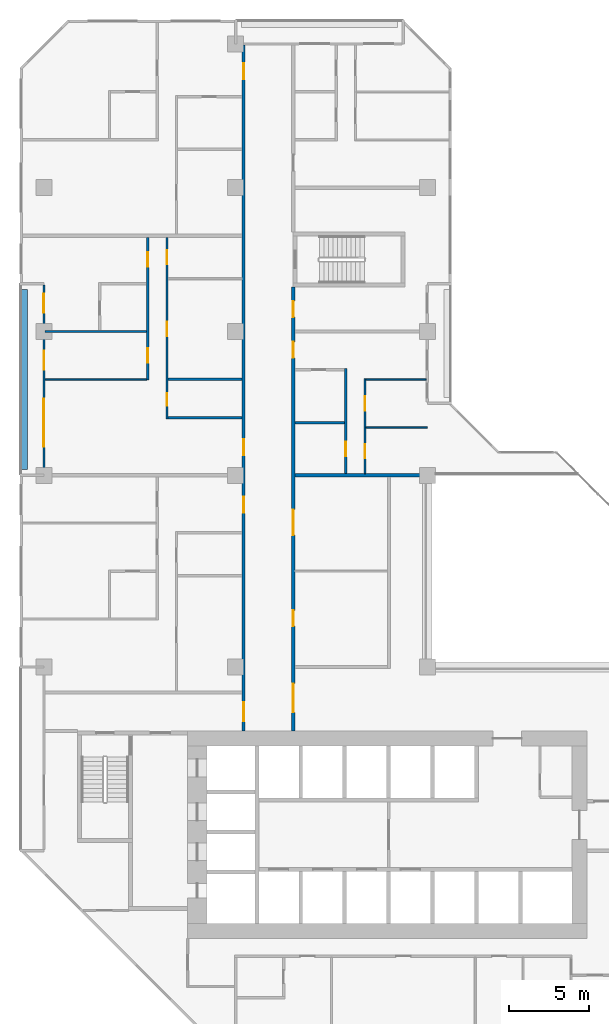
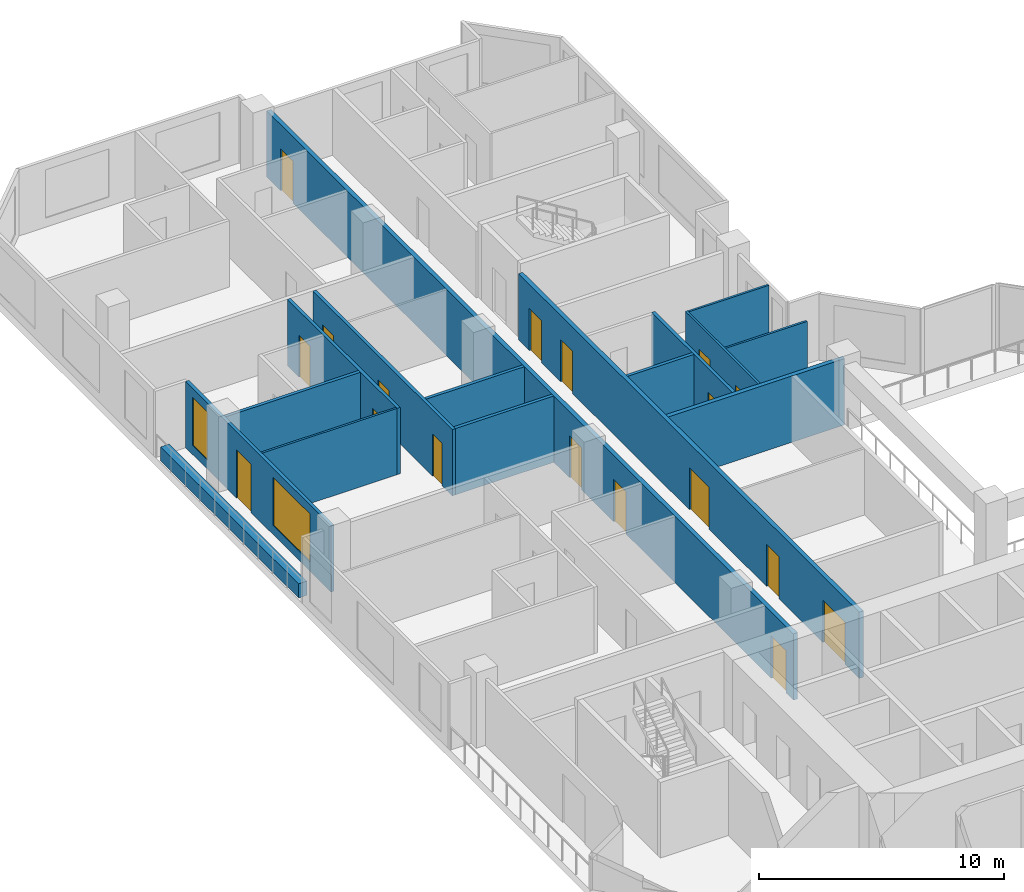
# One storey, part 9 of 15: 18 doors, 16 walls, 2 windows, 20 openings.
"""IFC4 building model written with IfcOpenShell, lengths in metres."""

from ifc_helpers import new_model, si_unit, direction, frame, frame_2d, origin, place, context, subcontext, project, spatial, rectangle, extrude, material, layer, layer_set, type_object, element, fill, save


model = new_model("IFC4")

# Units and contexts
model_context = context("Model", 3, precision=1e-05, world=origin(), true_north=direction((0.0, 1.0)))
body_context = subcontext(model_context, "Body", "Model", "MODEL_VIEW")
ifc_project = project(units=[si_unit("LENGTHUNIT", "METRE"), si_unit("AREAUNIT", "SQUARE_METRE"), si_unit("VOLUMEUNIT", "CUBIC_METRE"), si_unit("PLANEANGLEUNIT", "RADIAN"), si_unit("MASSUNIT", "GRAM", prefix="KILO")], contexts=[model_context])

# Site, building, storey
site_placement = place(None, origin())
site = spatial("IfcSite", under=ifc_project, at=site_placement, CompositionType="ELEMENT")
building_placement = place(site_placement, origin())
building = spatial("IfcBuilding", under=site, at=building_placement, Name="Chenar Terraces", CompositionType="ELEMENT")
storey_placement = place(building_placement, frame((0.0, 0.0, 136.89990234375)))
storey = spatial("IfcBuildingStorey", under=building, at=storey_placement, Name="L32", CompositionType="ELEMENT", Elevation=136.89990234375)

# Wall, openings, doors
ifc_material_1 = material(Name="Gypsum board on steel studs with fire boards", Category="steel")
ifc_layer_1 = layer(ifc_material_1, 0.199951171875)
ifc_layer_set_1 = layer_set([ifc_layer_1], Name="Gypsum board on steel studs with fire boards")
wall_type_1 = type_object("IfcWallType", Name="Corridor wall 200", PredefinedType="PARTITIONING", material=ifc_layer_set_1)
wall_1_placement = place(storey_placement, frame((12.5, 20.0, 0.0), z_axis=(0.0, 0.0, 1.0), x_axis=(0.0, 1.0, 0.0)))
wall_1 = element("IfcWall", 1, at=wall_1_placement, inside=storey, type_object=wall_type_1, Name="Partition L32-035", PredefinedType="PARTITIONING", context=body_context, shape_type="SweptSolid", body=[
    extrude(rectangle(XDim=42.926025390625, YDim=0.199951171875, at=frame_2d((21.462890625, 0.0))), origin(), (0.0, 0.0, 1.0), 3.300048828125),
])
opening_1_placement = place(wall_1_placement, frame((17.25, 0.0, 0.0)))
opening_1 = element("IfcOpeningElement", 2, at=opening_1_placement, cuts=wall_1, Name="Opening DL32-43", PredefinedType="OPENING", context=body_context, shape_type="SweptSolid", body=[
    extrude(rectangle(XDim=1.0, YDim=2.10009765625, at=frame_2d((0.5, 1.050048828125))), frame((0.0, 0.10986328125, 0.0), z_axis=(0.0, -1.0, 0.0), x_axis=(1.0, 0.0, 0.0)), (0.0, 0.0, 1.0), 0.219970703125),
])
opening_2_placement = place(wall_1_placement, frame((40.800048828125, 0.0, 0.0)))
opening_2 = element("IfcOpeningElement", 3, at=opening_2_placement, cuts=wall_1, Name="Opening DL32-49", PredefinedType="OPENING", context=body_context, shape_type="SweptSolid", body=[
    extrude(rectangle(XDim=1.0, YDim=2.10009765625, at=frame_2d((0.5, 1.050048828125))), frame((0.0, 0.10986328125, 0.0), z_axis=(0.0, -1.0, 0.0), x_axis=(1.0, 0.0, 0.0)), (0.0, 0.0, 1.0), 0.219970703125),
])
opening_3_placement = place(wall_1_placement, frame((0.60009765625, 0.0, 0.0)))
opening_3 = element("IfcOpeningElement", 4, at=opening_3_placement, cuts=wall_1, Name="Opening DL32-52", PredefinedType="OPENING", context=body_context, shape_type="SweptSolid", body=[
    extrude(rectangle(XDim=1.199951171875, YDim=2.10009765625, at=frame_2d((0.60009765625, 1.050048828125))), frame((0.0, 0.10986328125, 0.0), z_axis=(0.0, -1.0, 0.0), x_axis=(1.0, 0.0, 0.0)), (0.0, 0.0, 1.0), 0.219970703125),
])
opening_4_placement = place(wall_1_placement, frame((13.64990234375, 0.0, 0.0)))
opening_4 = element("IfcOpeningElement", 5, at=opening_4_placement, cuts=wall_1, Name="Opening DL32-73", PredefinedType="OPENING", context=body_context, shape_type="SweptSolid", body=[
    extrude(rectangle(XDim=1.0, YDim=2.10009765625, at=frame_2d((0.5, 1.050048828125))), frame((0.0, 0.10986328125, 0.0), z_axis=(0.0, -1.0, 0.0), x_axis=(1.0, 0.0, 0.0)), (0.0, 0.0, 1.0), 0.219970703125),
])
ifc_material_2 = material(Name="Steel-framed fire-resisting door leaf", Category="steel")
door_type_1 = type_object("IfcDoorType", Name="Fire door FD30S 1000 x 2100", OperationType="SINGLE_SWING_LEFT", PredefinedType="DOOR", material=ifc_material_2)
door_1_placement = place(opening_1_placement, origin())
door_1 = element("IfcDoor", 6, at=door_1_placement, inside=storey, type_object=door_type_1, Name="Door DL32-43", OperationType="SINGLE_SWING_LEFT", OverallHeight=2.10009765625, OverallWidth=1.0, PredefinedType="DOOR", context=body_context, shape_type="SweptSolid", body=[
    extrude(rectangle(XDim=1.0, YDim=2.10009765625, at=frame_2d((0.5, 1.050048828125))), frame((0.0, 0.02490234375, 0.0), z_axis=(0.0, -1.0, 0.0), x_axis=(1.0, 0.0, 0.0)), (0.0, 0.0, 1.0), 0.050048828125),
])
fill(opening_1, door_1)
door_2_placement = place(opening_2_placement, origin())
door_2 = element("IfcDoor", 7, at=door_2_placement, inside=storey, type_object=door_type_1, Name="Door DL32-49", OperationType="SINGLE_SWING_RIGHT", OverallHeight=2.10009765625, OverallWidth=1.0, PredefinedType="DOOR", context=body_context, shape_type="SweptSolid", body=[
    extrude(rectangle(XDim=1.0, YDim=2.10009765625, at=frame_2d((0.5, 1.050048828125))), frame((0.0, 0.02490234375, 0.0), z_axis=(0.0, -1.0, 0.0), x_axis=(1.0, 0.0, 0.0)), (0.0, 0.0, 1.0), 0.050048828125),
])
fill(opening_2, door_2)
door_3_placement = place(opening_4_placement, origin())
door_3 = element("IfcDoor", 8, at=door_3_placement, inside=storey, type_object=door_type_1, Name="Door DL32-73", OperationType="SINGLE_SWING_RIGHT", OverallHeight=2.10009765625, OverallWidth=1.0, PredefinedType="DOOR", context=body_context, shape_type="SweptSolid", body=[
    extrude(rectangle(XDim=1.0, YDim=2.10009765625, at=frame_2d((0.5, 1.050048828125))), frame((0.0, 0.02490234375, 0.0), z_axis=(0.0, -1.0, 0.0), x_axis=(1.0, 0.0, 0.0)), (0.0, 0.0, 1.0), 0.050048828125),
])
fill(opening_4, door_3)
ifc_material_3 = material(Name="Steel-framed fire-resisting door leaf", Category="steel")
door_type_2 = type_object("IfcDoorType", Name="Fire door FD30S 1200 x 2100", OperationType="SINGLE_SWING_LEFT", PredefinedType="DOOR", material=ifc_material_3)
door_4_placement = place(opening_3_placement, origin())
door_4 = element("IfcDoor", 9, at=door_4_placement, inside=storey, type_object=door_type_2, Name="Door DL32-52", OperationType="SINGLE_SWING_RIGHT", OverallHeight=2.10009765625, OverallWidth=1.199951171875, PredefinedType="DOOR", context=body_context, shape_type="SweptSolid", body=[
    extrude(rectangle(XDim=1.199951171875, YDim=2.10009765625, at=frame_2d((0.60009765625, 1.050048828125))), frame((0.0, 0.02490234375, 0.0), z_axis=(0.0, -1.0, 0.0), x_axis=(1.0, 0.0, 0.0)), (0.0, 0.0, 1.0), 0.050048828125),
])
fill(opening_3, door_4)

wall_2_placement = place(storey_placement, frame((15.60009765625, 20.0, 0.0), z_axis=(0.0, 0.0, 1.0), x_axis=(0.0, 1.0, 0.0)))
wall_2 = element("IfcWall", 10, at=wall_2_placement, inside=storey, type_object=wall_type_1, Name="Partition L32-037", PredefinedType="PARTITIONING", context=body_context, shape_type="SweptSolid", body=[
    extrude(rectangle(XDim=27.77490234375, YDim=0.199951171875, at=frame_2d((13.887451171875, 0.0))), origin(), (0.0, 0.0, 1.0), 3.300048828125),
])
opening_5_placement = place(wall_2_placement, frame((6.550048828125, 0.0, 0.0)))
opening_5 = element("IfcOpeningElement", 11, at=opening_5_placement, cuts=wall_2, Name="Opening DL32-1", PredefinedType="OPENING", context=body_context, shape_type="SweptSolid", body=[
    extrude(rectangle(XDim=1.0, YDim=2.10009765625, at=frame_2d((0.5, 1.050048828125))), frame((0.0, 0.10986328125, 0.0), z_axis=(0.0, -1.0, 0.0), x_axis=(1.0, 0.0, 0.0)), (0.0, 0.0, 1.0), 0.219970703125),
])
opening_6_placement = place(wall_2_placement, frame((12.25, 0.0, 0.0)))
opening_6 = element("IfcOpeningElement", 12, at=opening_6_placement, cuts=wall_2, Name="Opening DL32-2", PredefinedType="OPENING", context=body_context, shape_type="SweptSolid", body=[
    extrude(rectangle(XDim=1.60009765625, YDim=2.10009765625, at=frame_2d((0.800048828125, 1.050048828125))), frame((0.0, 0.10986328125, 0.0), z_axis=(0.0, -1.0, 0.0), x_axis=(1.0, 0.0, 0.0)), (0.0, 0.0, 1.0), 0.219970703125),
])
opening_7_placement = place(wall_2_placement, frame((23.35009765625, 0.0, 0.0)))
opening_7 = element("IfcOpeningElement", 13, at=opening_7_placement, cuts=wall_2, Name="Opening DL32-32", PredefinedType="OPENING", context=body_context, shape_type="SweptSolid", body=[
    extrude(rectangle(XDim=1.0, YDim=2.10009765625, at=frame_2d((0.5, 1.050048828125))), frame((0.0, 0.10986328125, 0.0), z_axis=(0.0, -1.0, 0.0), x_axis=(1.0, 0.0, 0.0)), (0.0, 0.0, 1.0), 0.219970703125),
])
opening_8_placement = place(wall_2_placement, frame((1.14990234375, 0.0, 0.0)))
opening_8 = element("IfcOpeningElement", 14, at=opening_8_placement, cuts=wall_2, Name="Opening DL32-51", PredefinedType="OPENING", context=body_context, shape_type="SweptSolid", body=[
    extrude(rectangle(XDim=1.800048828125, YDim=2.10009765625, at=frame_2d((0.89990234375, 1.050048828125))), frame((0.0, 0.10986328125, 0.0), z_axis=(0.0, -1.0, 0.0), x_axis=(1.0, 0.0, 0.0)), (0.0, 0.0, 1.0), 0.219970703125),
])
opening_9_placement = place(wall_2_placement, frame((25.89990234375, 0.0, 0.0)))
opening_9 = element("IfcOpeningElement", 15, at=opening_9_placement, cuts=wall_2, Name="Opening DL32-54", PredefinedType="OPENING", context=body_context, shape_type="SweptSolid", body=[
    extrude(rectangle(XDim=1.0, YDim=2.10009765625, at=frame_2d((0.5, 1.050048828125))), frame((0.0, 0.10986328125, 0.0), z_axis=(0.0, -1.0, 0.0), x_axis=(1.0, 0.0, 0.0)), (0.0, 0.0, 1.0), 0.219970703125),
])
ifc_material_4 = material(Name="Steel-framed fire-resisting door leaf", Category="steel")
door_type_3 = type_object("IfcDoorType", Name="Fire door FD60 1000 x 2100", OperationType="SINGLE_SWING_LEFT", PredefinedType="DOOR", material=ifc_material_4)
door_5_placement = place(opening_5_placement, frame((1.0, 0.0, 0.0), z_axis=(0.0, 0.0, 1.0), x_axis=(-1.0, 0.0, 0.0)))
door_5 = element("IfcDoor", 16, at=door_5_placement, inside=storey, type_object=door_type_3, Name="Door DL32-1", OperationType="SINGLE_SWING_LEFT", OverallHeight=2.10009765625, OverallWidth=1.0, PredefinedType="DOOR", context=body_context, shape_type="SweptSolid", body=[
    extrude(rectangle(XDim=1.0, YDim=2.10009765625, at=frame_2d((0.5, 1.050048828125))), frame((0.0, 0.02490234375, 0.0), z_axis=(0.0, -1.0, 0.0), x_axis=(1.0, 0.0, 0.0)), (0.0, 0.0, 1.0), 0.050048828125),
])
fill(opening_5, door_5)
door_6_placement = place(opening_7_placement, frame((1.0, 0.0, 0.0), z_axis=(0.0, 0.0, 1.0), x_axis=(-1.0, 0.0, 0.0)))
door_6 = element("IfcDoor", 17, at=door_6_placement, inside=storey, type_object=door_type_3, Name="Door DL32-32", OperationType="SINGLE_SWING_LEFT", OverallHeight=2.10009765625, OverallWidth=1.0, PredefinedType="DOOR", context=body_context, shape_type="SweptSolid", body=[
    extrude(rectangle(XDim=1.0, YDim=2.10009765625, at=frame_2d((0.5, 1.050048828125))), frame((0.0, 0.02490234375, 0.0), z_axis=(0.0, -1.0, 0.0), x_axis=(1.0, 0.0, 0.0)), (0.0, 0.0, 1.0), 0.050048828125),
])
fill(opening_7, door_6)
door_7_placement = place(opening_9_placement, frame((1.0, 0.0, 0.0), z_axis=(0.0, 0.0, 1.0), x_axis=(-1.0, 0.0, 0.0)))
door_7 = element("IfcDoor", 18, at=door_7_placement, inside=storey, type_object=door_type_3, Name="Door DL32-54", OperationType="SINGLE_SWING_RIGHT", OverallHeight=2.10009765625, OverallWidth=1.0, PredefinedType="DOOR", context=body_context, shape_type="SweptSolid", body=[
    extrude(rectangle(XDim=1.0, YDim=2.10009765625, at=frame_2d((0.5, 1.050048828125))), frame((0.0, 0.02490234375, 0.0), z_axis=(0.0, -1.0, 0.0), x_axis=(1.0, 0.0, 0.0)), (0.0, 0.0, 1.0), 0.050048828125),
])
fill(opening_9, door_7)
ifc_material_5 = material(Name="Steel-framed fire-resisting door leaf", Category="steel")
door_type_4 = type_object("IfcDoorType", Name="Fire double door FD60 1600 x 2100", OperationType="DOUBLE_DOOR_SINGLE_SWING", PredefinedType="DOOR", material=ifc_material_5)
door_8_placement = place(opening_6_placement, frame((1.60009765625, 0.0, 0.0), z_axis=(0.0, 0.0, 1.0), x_axis=(-1.0, 0.0, 0.0)))
door_8 = element("IfcDoor", 19, at=door_8_placement, inside=storey, type_object=door_type_4, Name="Door DL32-2", OperationType="DOUBLE_DOOR_SINGLE_SWING", OverallHeight=2.10009765625, OverallWidth=1.60009765625, PredefinedType="DOOR", context=body_context, shape_type="SweptSolid", body=[
    extrude(rectangle(XDim=1.60009765625, YDim=2.10009765625, at=frame_2d((0.800048828125, 1.050048828125))), frame((0.0, 0.02490234375, 0.0), z_axis=(0.0, -1.0, 0.0), x_axis=(1.0, 0.0, 0.0)), (0.0, 0.0, 1.0), 0.050048828125),
])
fill(opening_6, door_8)
ifc_material_6 = material(Name="Steel-framed fire-resisting door leaf", Category="steel")
door_type_5 = type_object("IfcDoorType", Name="Fire double door FD60 1800 x 2100", OperationType="DOUBLE_DOOR_SINGLE_SWING", PredefinedType="DOOR", material=ifc_material_6)
door_9_placement = place(opening_8_placement, frame((1.800048828125, 0.0, 0.0), z_axis=(0.0, 0.0, 1.0), x_axis=(-1.0, 0.0, 0.0)))
door_9 = element("IfcDoor", 20, at=door_9_placement, inside=storey, type_object=door_type_5, Name="Door DL32-51", OperationType="DOUBLE_DOOR_SINGLE_SWING", OverallHeight=2.10009765625, OverallWidth=1.800048828125, PredefinedType="DOOR", context=body_context, shape_type="SweptSolid", body=[
    extrude(rectangle(XDim=1.800048828125, YDim=2.10009765625, at=frame_2d((0.89990234375, 1.050048828125))), frame((0.0, 0.02490234375, 0.0), z_axis=(0.0, -1.0, 0.0), x_axis=(1.0, 0.0, 0.0)), (0.0, 0.0, 1.0), 0.050048828125),
])
fill(opening_8, door_9)

# Wall, openings, windows, door
ifc_material_7 = material(Name="Aluminium framed glazing", Category="aluminium")
ifc_layer_2 = layer(ifc_material_7, 0.14990234375)
ifc_layer_set_2 = layer_set([ifc_layer_2], Name="Aluminium framed glazing")
wall_type_2 = type_object("IfcWallType", Name="Glazed loggia back wall 150", PredefinedType="SOLIDWALL", material=ifc_layer_set_2)
wall_3_placement = place(storey_placement, frame((0.0, 47.925048828125, 0.0), z_axis=(0.0, 0.0, 1.0), x_axis=(0.0, -1.0, 0.0)))
wall_3 = element("IfcWall", 21, at=wall_3_placement, inside=storey, type_object=wall_type_2, Name="Glazed loggia back wall", PredefinedType="SOLIDWALL", context=body_context, shape_type="SweptSolid", body=[
    extrude(rectangle(XDim=11.85009765625, YDim=0.14990234375, at=frame_2d((5.925048828125, 0.0))), origin(), (0.0, 0.0, 1.0), 3.300048828125),
])
opening_10_placement = place(wall_3_placement, frame((0.5625, 0.0, 0.449951171875)))
opening_10 = element("IfcOpeningElement", 22, at=opening_10_placement, cuts=wall_3, Name="Opening W120x240", PredefinedType="OPENING", context=body_context, shape_type="SweptSolid", body=[
    extrude(rectangle(XDim=1.199951171875, YDim=2.39990234375, at=frame_2d((0.60009765625, 1.199951171875))), frame((0.0, 0.0849609375, 0.0), z_axis=(0.0, -1.0, 0.0), x_axis=(1.0, 0.0, 0.0)), (0.0, 0.0, 1.0), 0.169921875),
])
opening_11_placement = place(wall_3_placement, frame((4.125, 0.0, 0.0)))
opening_11 = element("IfcOpeningElement", 23, at=opening_11_placement, cuts=wall_3, Name="Opening DL32-G3", PredefinedType="OPENING", context=body_context, shape_type="SweptSolid", body=[
    extrude(rectangle(XDim=1.199951171875, YDim=2.39990234375, at=frame_2d((0.60009765625, 1.199951171875))), frame((0.0, 0.0849609375, 0.0), z_axis=(0.0, -1.0, 0.0), x_axis=(1.0, 0.0, 0.0)), (0.0, 0.0, 1.0), 0.169921875),
])
opening_12_placement = place(wall_3_placement, frame((7.125, 0.0, 0.449951171875)))
opening_12 = element("IfcOpeningElement", 24, at=opening_12_placement, cuts=wall_3, Name="Opening W300x240", PredefinedType="OPENING", context=body_context, shape_type="SweptSolid", body=[
    extrude(rectangle(XDim=3.0, YDim=2.39990234375, at=frame_2d((1.5, 1.199951171875))), frame((0.0, 0.0849609375, 0.0), z_axis=(0.0, -1.0, 0.0), x_axis=(1.0, 0.0, 0.0)), (0.0, 0.0, 1.0), 0.169921875),
])
ifc_material_8 = material(Name="Low emissivity double glazing, aluminium frame", Category="aluminium")
window_type_1 = type_object("IfcWindowType", Name="Fixed light 1200 x 2400", PartitioningType="SINGLE_PANEL", PredefinedType="WINDOW", material=ifc_material_8)
window_1_placement = place(opening_10_placement, origin())
window_1 = element("IfcWindow", 25, at=window_1_placement, inside=storey, type_object=window_type_1, Name="Window", OverallHeight=2.39990234375, OverallWidth=1.199951171875, PartitioningType="SINGLE_PANEL", PredefinedType="WINDOW", context=body_context, shape_type="SweptSolid", body=[
    extrude(rectangle(XDim=1.199951171875, YDim=2.39990234375, at=frame_2d((0.60009765625, 1.199951171875))), frame((0.0, 0.030029296875, 0.0), z_axis=(0.0, -1.0, 0.0), x_axis=(1.0, 0.0, 0.0)), (0.0, 0.0, 1.0), 0.06005859375),
])
fill(opening_10, window_1)
ifc_material_9 = material(Name="Low emissivity double glazing, aluminium frame", Category="aluminium")
window_type_2 = type_object("IfcWindowType", Name="Fixed light 3000 x 2400", PartitioningType="SINGLE_PANEL", PredefinedType="WINDOW", material=ifc_material_9)
window_2_placement = place(opening_12_placement, origin())
window_2 = element("IfcWindow", 26, at=window_2_placement, inside=storey, type_object=window_type_2, Name="Window", OverallHeight=2.39990234375, OverallWidth=3.0, PartitioningType="SINGLE_PANEL", PredefinedType="WINDOW", context=body_context, shape_type="SweptSolid", body=[
    extrude(rectangle(XDim=3.0, YDim=2.39990234375, at=frame_2d((1.5, 1.199951171875))), frame((0.0, 0.030029296875, 0.0), z_axis=(0.0, -1.0, 0.0), x_axis=(1.0, 0.0, 0.0)), (0.0, 0.0, 1.0), 0.06005859375),
])
fill(opening_12, window_2)
ifc_material_10 = material(Name="Low emissivity double glazing, aluminium frame", Category="aluminium")
door_type_6 = type_object("IfcDoorType", Name="Loggia glazed double door 1200 x 2400", OperationType="DOUBLE_DOOR_SINGLE_SWING", PredefinedType="DOOR", material=ifc_material_10)
door_10_placement = place(opening_11_placement, frame((1.199951171875, 0.0, 0.0), z_axis=(0.0, 0.0, 1.0), x_axis=(-1.0, 0.0, 0.0)))
door_10 = element("IfcDoor", 27, at=door_10_placement, inside=storey, type_object=door_type_6, Name="Loggia glazed door", OperationType="DOUBLE_DOOR_SINGLE_SWING", OverallHeight=2.39990234375, OverallWidth=1.199951171875, PredefinedType="DOOR", context=body_context, shape_type="SweptSolid", body=[
    extrude(rectangle(XDim=1.199951171875, YDim=2.39990234375, at=frame_2d((0.60009765625, 1.199951171875))), frame((0.0, 0.02490234375, 0.0), z_axis=(0.0, -1.0, 0.0), x_axis=(1.0, 0.0, 0.0)), (0.0, 0.0, 1.0), 0.050048828125),
])
fill(opening_11, door_10)

# Wall
ifc_material_11 = material(Name="Gypsum board on steel studs", Category="steel")
ifc_layer_3 = layer(ifc_material_11, 0.10009765625)
ifc_layer_set_3 = layer_set([ifc_layer_3], Name="Gypsum board on steel studs")
wall_type_3 = type_object("IfcWallType", Name="Gypsum partition 100", PredefinedType="PARTITIONING", material=ifc_layer_set_3)
wall_4_placement = place(storey_placement, frame((0.073974609375, 42.0, 0.0), z_axis=(0.0, 0.0, 1.0), x_axis=(1.0, 0.0, 0.0)))
element("IfcWall", 28, at=wall_4_placement, inside=storey, type_object=wall_type_3, Name="Partition L32-008", PredefinedType="PARTITIONING", context=body_context, shape_type="SweptSolid", body=[
    extrude(rectangle(XDim=6.35107421875, YDim=0.10009765625, at=frame_2d((3.175537109375, 0.0))), origin(), (0.0, 0.0, 1.0), 3.300048828125),
])

# Wall, openings, doors
wall_5_placement = place(storey_placement, frame((20.10009765625, 36.10009765625, 0.0), z_axis=(0.0, 0.0, 1.0), x_axis=(0.0, 1.0, 0.0)))
wall_5 = element("IfcWall", 29, at=wall_5_placement, inside=storey, type_object=wall_type_3, Name="Partition L32-054", PredefinedType="PARTITIONING", context=body_context, shape_type="SweptSolid", body=[
    extrude(rectangle(XDim=5.949951171875, YDim=0.10009765625, at=frame_2d((2.97509765625, 0.0))), origin(), (0.0, 0.0, 1.0), 3.300048828125),
])
opening_13_placement = place(wall_5_placement, frame((0.949951171875, 0.0, 0.0)))
opening_13 = element("IfcOpeningElement", 30, at=opening_13_placement, cuts=wall_5, Name="Opening DL32-29", PredefinedType="OPENING", context=body_context, shape_type="SweptSolid", body=[
    extrude(rectangle(XDim=0.89990234375, YDim=2.10009765625, at=frame_2d((0.449951171875, 1.050048828125))), frame((0.0, 0.06005859375, 0.0), z_axis=(0.0, -1.0, 0.0), x_axis=(1.0, 0.0, 0.0)), (0.0, 0.0, 1.0), 0.1201171875),
])
opening_14_placement = place(wall_5_placement, frame((3.949951171875, 0.0, 0.0)))
opening_14 = element("IfcOpeningElement", 31, at=opening_14_placement, cuts=wall_5, Name="Opening DL32-30", PredefinedType="OPENING", context=body_context, shape_type="SweptSolid", body=[
    extrude(rectangle(XDim=0.89990234375, YDim=2.10009765625, at=frame_2d((0.449951171875, 1.050048828125))), frame((0.0, 0.06005859375, 0.0), z_axis=(0.0, -1.0, 0.0), x_axis=(1.0, 0.0, 0.0)), (0.0, 0.0, 1.0), 0.1201171875),
])
ifc_material_12 = material(Name="Veneered timber door leaf", Category="wood")
door_type_7 = type_object("IfcDoorType", Name="Door 900 x 2100", OperationType="SINGLE_SWING_LEFT", PredefinedType="DOOR", material=ifc_material_12)
door_11_placement = place(opening_13_placement, frame((0.89990234375, 0.0, 0.0), z_axis=(0.0, 0.0, 1.0), x_axis=(-1.0, 0.0, 0.0)))
door_11 = element("IfcDoor", 32, at=door_11_placement, inside=storey, type_object=door_type_7, Name="Door DL32-29", OperationType="SINGLE_SWING_LEFT", OverallHeight=2.10009765625, OverallWidth=0.89990234375, PredefinedType="DOOR", context=body_context, shape_type="SweptSolid", body=[
    extrude(rectangle(XDim=0.89990234375, YDim=2.10009765625, at=frame_2d((0.449951171875, 1.050048828125))), frame((0.0, 0.02490234375, 0.0), z_axis=(0.0, -1.0, 0.0), x_axis=(1.0, 0.0, 0.0)), (0.0, 0.0, 1.0), 0.050048828125),
])
fill(opening_13, door_11)
door_12_placement = place(opening_14_placement, frame((0.89990234375, 0.0, 0.0), z_axis=(0.0, 0.0, 1.0), x_axis=(-1.0, 0.0, 0.0)))
door_12 = element("IfcDoor", 33, at=door_12_placement, inside=storey, type_object=door_type_7, Name="Door DL32-30", OperationType="SINGLE_SWING_LEFT", OverallHeight=2.10009765625, OverallWidth=0.89990234375, PredefinedType="DOOR", context=body_context, shape_type="SweptSolid", body=[
    extrude(rectangle(XDim=0.89990234375, YDim=2.10009765625, at=frame_2d((0.449951171875, 1.050048828125))), frame((0.0, 0.02490234375, 0.0), z_axis=(0.0, -1.0, 0.0), x_axis=(1.0, 0.0, 0.0)), (0.0, 0.0, 1.0), 0.050048828125),
])
fill(opening_14, door_12)

# Walls
wall_6_placement = place(storey_placement, frame((20.14990234375, 39.0, 0.0), z_axis=(0.0, 0.0, 1.0), x_axis=(1.0, 0.0, 0.0)))
element("IfcWall", 34, at=wall_6_placement, inside=storey, type_object=wall_type_3, Name="Partition L32-055", PredefinedType="PARTITIONING", context=body_context, shape_type="SweptSolid", body=[
    extrude(rectangle(XDim=3.85009765625, YDim=0.10009765625, at=frame_2d((1.925048828125, 0.0))), origin(), (0.0, 0.0, 1.0), 3.300048828125),
])
wall_7_placement = place(storey_placement, frame((20.14990234375, 42.0, 0.0), z_axis=(0.0, 0.0, 1.0), x_axis=(1.0, 0.0, 0.0)))
element("IfcWall", 35, at=wall_7_placement, inside=storey, type_object=wall_type_3, Name="Partition L32-056", PredefinedType="PARTITIONING", context=body_context, shape_type="SweptSolid", body=[
    extrude(rectangle(XDim=3.776123046875, YDim=0.10009765625, at=frame_2d((1.88818359375, 0.0))), origin(), (0.0, 0.0, 1.0), 3.300048828125),
])
ifc_material_13 = material(Name="Twin gypsum board on steel studs with mineral wool", Category="steel")
ifc_layer_4 = layer(ifc_material_13, 0.199951171875)
ifc_layer_set_4 = layer_set([ifc_layer_4], Name="Twin gypsum board on steel studs with mineral wool")
wall_type_4 = type_object("IfcWallType", Name="Unit demising wall 200", PredefinedType="PARTITIONING", material=ifc_layer_set_4)
wall_8_placement = place(storey_placement, frame((15.699951171875, 36.0, 0.0), z_axis=(0.0, 0.0, 1.0), x_axis=(1.0, 0.0, 0.0)))
element("IfcWall", 36, at=wall_8_placement, inside=storey, type_object=wall_type_4, Name="Partition L32-041", PredefinedType="PARTITIONING", context=body_context, shape_type="SweptSolid", body=[
    extrude(rectangle(XDim=8.300048828125, YDim=0.199951171875, at=frame_2d((4.14990234375, 0.0))), origin(), (0.0, 0.0, 1.0), 3.300048828125),
])
ifc_material_14 = material(Name="GRP planter trough")
ifc_layer_5 = layer(ifc_material_14, 0.39990234375)
ifc_layer_set_5 = layer_set([ifc_layer_5], Name="GRP planter trough")
wall_type_5 = type_object("IfcWallType", Name="Vertical greenery planter 400", PredefinedType="SOLIDWALL", material=ifc_layer_set_5)
wall_9_placement = place(storey_placement, frame((-1.22900390625, 47.625, 0.0), z_axis=(0.0, 0.0, 1.0), x_axis=(0.0, -1.0, 0.0)))
element("IfcWall", 37, at=wall_9_placement, inside=storey, type_object=wall_type_5, Name="Vertical greenery planter", PredefinedType="SOLIDWALL", context=body_context, shape_type="SweptSolid", body=[
    extrude(rectangle(XDim=11.25, YDim=0.39990234375, at=frame_2d((5.625, 0.0))), origin(), (0.0, 0.0, 1.0), 0.7001953125),
])
ifc_material_15 = material(Name="Moisture-resistant gypsum board on steel studs", Category="steel")
ifc_layer_6 = layer(ifc_material_15, 0.14990234375)
ifc_layer_set_6 = layer_set([ifc_layer_6], Name="Moisture-resistant gypsum board on steel studs")
wall_type_6 = type_object("IfcWallType", Name="Wet-room partition 150", PredefinedType="PARTITIONING", material=ifc_layer_set_6)
wall_10_placement = place(storey_placement, frame((0.073974609375, 45.0, 0.0), z_axis=(0.0, 0.0, 1.0), x_axis=(1.0, 0.0, 0.0)))
element("IfcWall", 38, at=wall_10_placement, inside=storey, type_object=wall_type_6, Name="Partition L32-009", PredefinedType="PARTITIONING", context=body_context, shape_type="SweptSolid", body=[
    extrude(rectangle(XDim=6.35107421875, YDim=0.14990234375, at=frame_2d((3.175537109375, 0.0))), origin(), (0.0, 0.0, 1.0), 3.300048828125),
])

# Wall, openings, doors
wall_11_placement = place(storey_placement, frame((6.5, 41.949951171875, 0.0), z_axis=(0.0, 0.0, 1.0), x_axis=(0.0, 1.0, 0.0)))
wall_11 = element("IfcWall", 39, at=wall_11_placement, inside=storey, type_object=wall_type_6, Name="Partition L32-017", PredefinedType="PARTITIONING", context=body_context, shape_type="SweptSolid", body=[
    extrude(rectangle(XDim=8.949951171875, YDim=0.14990234375, at=frame_2d((4.47509765625, 0.0))), origin(), (0.0, 0.0, 1.0), 3.300048828125),
])
opening_15_placement = place(wall_11_placement, frame((1.10009765625, 0.0, 0.0)))
opening_15 = element("IfcOpeningElement", 40, at=opening_15_placement, cuts=wall_11, Name="Opening DL32-39", PredefinedType="OPENING", context=body_context, shape_type="SweptSolid", body=[
    extrude(rectangle(XDim=0.89990234375, YDim=2.10009765625, at=frame_2d((0.449951171875, 1.050048828125))), frame((0.0, 0.0849609375, 0.0), z_axis=(0.0, -1.0, 0.0), x_axis=(1.0, 0.0, 0.0)), (0.0, 0.0, 1.0), 0.169921875),
])
opening_16_placement = place(wall_11_placement, frame((7.10009765625, 0.0, 0.0)))
opening_16 = element("IfcOpeningElement", 41, at=opening_16_placement, cuts=wall_11, Name="Opening DL32-40", PredefinedType="OPENING", context=body_context, shape_type="SweptSolid", body=[
    extrude(rectangle(XDim=0.89990234375, YDim=2.10009765625, at=frame_2d((0.449951171875, 1.050048828125))), frame((0.0, 0.0849609375, 0.0), z_axis=(0.0, -1.0, 0.0), x_axis=(1.0, 0.0, 0.0)), (0.0, 0.0, 1.0), 0.169921875),
])
door_13_placement = place(opening_15_placement, origin())
door_13 = element("IfcDoor", 42, at=door_13_placement, inside=storey, type_object=door_type_7, Name="Door DL32-39", OperationType="SINGLE_SWING_LEFT", OverallHeight=2.10009765625, OverallWidth=0.89990234375, PredefinedType="DOOR", context=body_context, shape_type="SweptSolid", body=[
    extrude(rectangle(XDim=0.89990234375, YDim=2.10009765625, at=frame_2d((0.449951171875, 1.050048828125))), frame((0.0, 0.02490234375, 0.0), z_axis=(0.0, -1.0, 0.0), x_axis=(1.0, 0.0, 0.0)), (0.0, 0.0, 1.0), 0.050048828125),
])
fill(opening_15, door_13)
door_14_placement = place(opening_16_placement, origin())
door_14 = element("IfcDoor", 43, at=door_14_placement, inside=storey, type_object=door_type_7, Name="Door DL32-40", OperationType="SINGLE_SWING_LEFT", OverallHeight=2.10009765625, OverallWidth=0.89990234375, PredefinedType="DOOR", context=body_context, shape_type="SweptSolid", body=[
    extrude(rectangle(XDim=0.89990234375, YDim=2.10009765625, at=frame_2d((0.449951171875, 1.050048828125))), frame((0.0, 0.02490234375, 0.0), z_axis=(0.0, -1.0, 0.0), x_axis=(1.0, 0.0, 0.0)), (0.0, 0.0, 1.0), 0.050048828125),
])
fill(opening_16, door_14)

wall_12_placement = place(storey_placement, frame((7.699951171875, 39.52490234375, 0.0), z_axis=(0.0, 0.0, 1.0), x_axis=(0.0, 1.0, 0.0)))
wall_12 = element("IfcWall", 44, at=wall_12_placement, inside=storey, type_object=wall_type_6, Name="Partition L32-020", PredefinedType="PARTITIONING", context=body_context, shape_type="SweptSolid", body=[
    extrude(rectangle(XDim=11.375, YDim=0.14990234375, at=frame_2d((5.6875, 0.0))), origin(), (0.0, 0.0, 1.0), 3.300048828125),
])
opening_17_placement = place(wall_12_placement, frame((0.824951171875, 0.0, 0.0)))
opening_17 = element("IfcOpeningElement", 45, at=opening_17_placement, cuts=wall_12, Name="Opening DL32-38", PredefinedType="OPENING", context=body_context, shape_type="SweptSolid", body=[
    extrude(rectangle(XDim=0.800048828125, YDim=2.10009765625, at=frame_2d((0.39990234375, 1.050048828125))), frame((0.0, 0.0849609375, 0.0), z_axis=(0.0, -1.0, 0.0), x_axis=(1.0, 0.0, 0.0)), (0.0, 0.0, 1.0), 0.169921875),
])
opening_18_placement = place(wall_12_placement, frame((5.175048828125, 0.0, 0.0)))
opening_18 = element("IfcOpeningElement", 46, at=opening_18_placement, cuts=wall_12, Name="Opening DL32-42", PredefinedType="OPENING", context=body_context, shape_type="SweptSolid", body=[
    extrude(rectangle(XDim=0.89990234375, YDim=2.10009765625, at=frame_2d((0.449951171875, 1.050048828125))), frame((0.0, 0.0849609375, 0.0), z_axis=(0.0, -1.0, 0.0), x_axis=(1.0, 0.0, 0.0)), (0.0, 0.0, 1.0), 0.169921875),
])
opening_19_placement = place(wall_12_placement, frame((9.675048828125, 0.0, 0.0)))
opening_19 = element("IfcOpeningElement", 47, at=opening_19_placement, cuts=wall_12, Name="Opening DL32-44", PredefinedType="OPENING", context=body_context, shape_type="SweptSolid", body=[
    extrude(rectangle(XDim=0.89990234375, YDim=2.10009765625, at=frame_2d((0.449951171875, 1.050048828125))), frame((0.0, 0.0849609375, 0.0), z_axis=(0.0, -1.0, 0.0), x_axis=(1.0, 0.0, 0.0)), (0.0, 0.0, 1.0), 0.169921875),
])
ifc_material_16 = material(Name="Veneered timber door leaf", Category="wood")
door_type_8 = type_object("IfcDoorType", Name="Door 800 x 2100", OperationType="SINGLE_SWING_LEFT", PredefinedType="DOOR", material=ifc_material_16)
door_15_placement = place(opening_17_placement, frame((0.800048828125, 0.0, 0.0), z_axis=(0.0, 0.0, 1.0), x_axis=(-1.0, 0.0, 0.0)))
door_15 = element("IfcDoor", 48, at=door_15_placement, inside=storey, type_object=door_type_8, Name="Door DL32-38", OperationType="SINGLE_SWING_RIGHT", OverallHeight=2.10009765625, OverallWidth=0.800048828125, PredefinedType="DOOR", context=body_context, shape_type="SweptSolid", body=[
    extrude(rectangle(XDim=0.800048828125, YDim=2.10009765625, at=frame_2d((0.39990234375, 1.050048828125))), frame((0.0, 0.02490234375, 0.0), z_axis=(0.0, -1.0, 0.0), x_axis=(1.0, 0.0, 0.0)), (0.0, 0.0, 1.0), 0.050048828125),
])
fill(opening_17, door_15)
door_16_placement = place(opening_18_placement, frame((0.89990234375, 0.0, 0.0), z_axis=(0.0, 0.0, 1.0), x_axis=(-1.0, 0.0, 0.0)))
door_16 = element("IfcDoor", 49, at=door_16_placement, inside=storey, type_object=door_type_7, Name="Door DL32-42", OperationType="SINGLE_SWING_LEFT", OverallHeight=2.10009765625, OverallWidth=0.89990234375, PredefinedType="DOOR", context=body_context, shape_type="SweptSolid", body=[
    extrude(rectangle(XDim=0.89990234375, YDim=2.10009765625, at=frame_2d((0.449951171875, 1.050048828125))), frame((0.0, 0.02490234375, 0.0), z_axis=(0.0, -1.0, 0.0), x_axis=(1.0, 0.0, 0.0)), (0.0, 0.0, 1.0), 0.050048828125),
])
fill(opening_18, door_16)
door_17_placement = place(opening_19_placement, frame((0.89990234375, 0.0, 0.0), z_axis=(0.0, 0.0, 1.0), x_axis=(-1.0, 0.0, 0.0)))
door_17 = element("IfcDoor", 50, at=door_17_placement, inside=storey, type_object=door_type_7, Name="Door DL32-44", OperationType="SINGLE_SWING_LEFT", OverallHeight=2.10009765625, OverallWidth=0.89990234375, PredefinedType="DOOR", context=body_context, shape_type="SweptSolid", body=[
    extrude(rectangle(XDim=0.89990234375, YDim=2.10009765625, at=frame_2d((0.449951171875, 1.050048828125))), frame((0.0, 0.02490234375, 0.0), z_axis=(0.0, -1.0, 0.0), x_axis=(1.0, 0.0, 0.0)), (0.0, 0.0, 1.0), 0.050048828125),
])
fill(opening_19, door_17)

# Walls
for number, where, z_axis, x_axis, name in (
    (51, (7.77490234375, 39.60009765625, 0.0), (0.0, 0.0, 1.0), (1.0, 0.0, 0.0), "Partition L32-021"),
    (52, (7.77490234375, 42.0, 0.0), (0.0, 0.0, 1.0), (1.0, 0.0, 0.0), "Partition L32-022"),
):
    element("IfcWall", number, at=place(storey_placement, frame(where, z_axis=z_axis, x_axis=x_axis)), inside=storey, type_object=wall_type_6, Name=name, PredefinedType="PARTITIONING", context=body_context, shape_type="SweptSolid", body=[
        extrude(rectangle(XDim=4.625, YDim=0.14990234375, at=frame_2d((2.3125, 0.0))), origin(), (0.0, 0.0, 1.0), 3.300048828125),
    ])
wall_13_placement = place(storey_placement, frame((15.699951171875, 39.300048828125, 0.0), z_axis=(0.0, 0.0, 1.0), x_axis=(1.0, 0.0, 0.0)))
element("IfcWall", 53, at=wall_13_placement, inside=storey, type_object=wall_type_6, Name="Partition L32-042", PredefinedType="PARTITIONING", context=body_context, shape_type="SweptSolid", body=[
    extrude(rectangle(XDim=3.125, YDim=0.14990234375, at=frame_2d((1.5625, 0.0))), origin(), (0.0, 0.0, 1.0), 3.300048828125),
])

# Wall, opening, door
wall_14_placement = place(storey_placement, frame((18.89990234375, 36.10009765625, 0.0), z_axis=(0.0, 0.0, 1.0), x_axis=(0.0, 1.0, 0.0)))
wall_14 = element("IfcWall", 54, at=wall_14_placement, inside=storey, type_object=wall_type_6, Name="Partition L32-050", PredefinedType="PARTITIONING", context=body_context, shape_type="SweptSolid", body=[
    extrude(rectangle(XDim=6.574951171875, YDim=0.14990234375, at=frame_2d((3.28759765625, 0.0))), origin(), (0.0, 0.0, 1.0), 3.300048828125),
])
opening_20_placement = place(wall_14_placement, frame((1.10009765625, 0.0, 0.0)))
opening_20 = element("IfcOpeningElement", 55, at=opening_20_placement, cuts=wall_14, Name="Opening DL32-31", PredefinedType="OPENING", context=body_context, shape_type="SweptSolid", body=[
    extrude(rectangle(XDim=0.89990234375, YDim=2.10009765625, at=frame_2d((0.449951171875, 1.050048828125))), frame((0.0, 0.0849609375, 0.0), z_axis=(0.0, -1.0, 0.0), x_axis=(1.0, 0.0, 0.0)), (0.0, 0.0, 1.0), 0.169921875),
])
door_18_placement = place(opening_20_placement, origin())
door_18 = element("IfcDoor", 56, at=door_18_placement, inside=storey, type_object=door_type_7, Name="Door DL32-31", OperationType="SINGLE_SWING_LEFT", OverallHeight=2.10009765625, OverallWidth=0.89990234375, PredefinedType="DOOR", context=body_context, shape_type="SweptSolid", body=[
    extrude(rectangle(XDim=0.89990234375, YDim=2.10009765625, at=frame_2d((0.449951171875, 1.050048828125))), frame((0.0, 0.02490234375, 0.0), z_axis=(0.0, -1.0, 0.0), x_axis=(1.0, 0.0, 0.0)), (0.0, 0.0, 1.0), 0.050048828125),
])
fill(opening_20, door_18)

save(model, "model.ifc")
